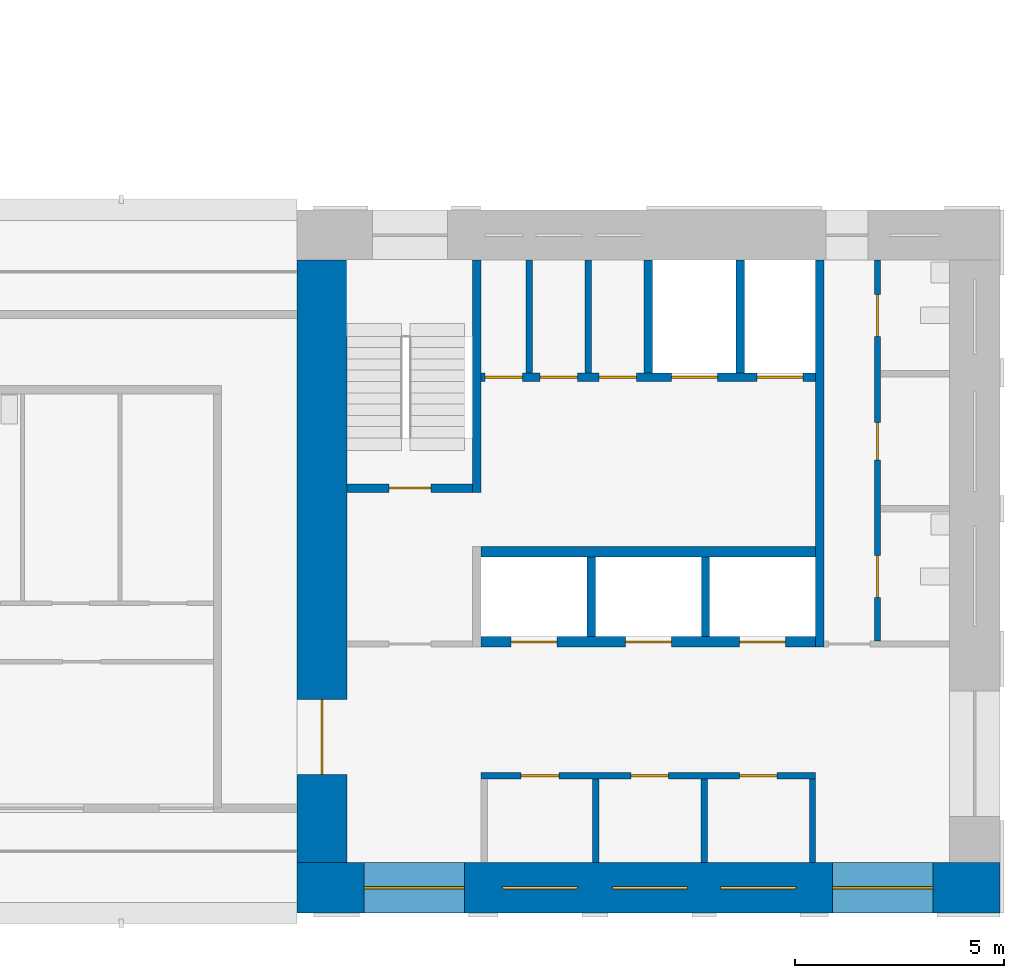
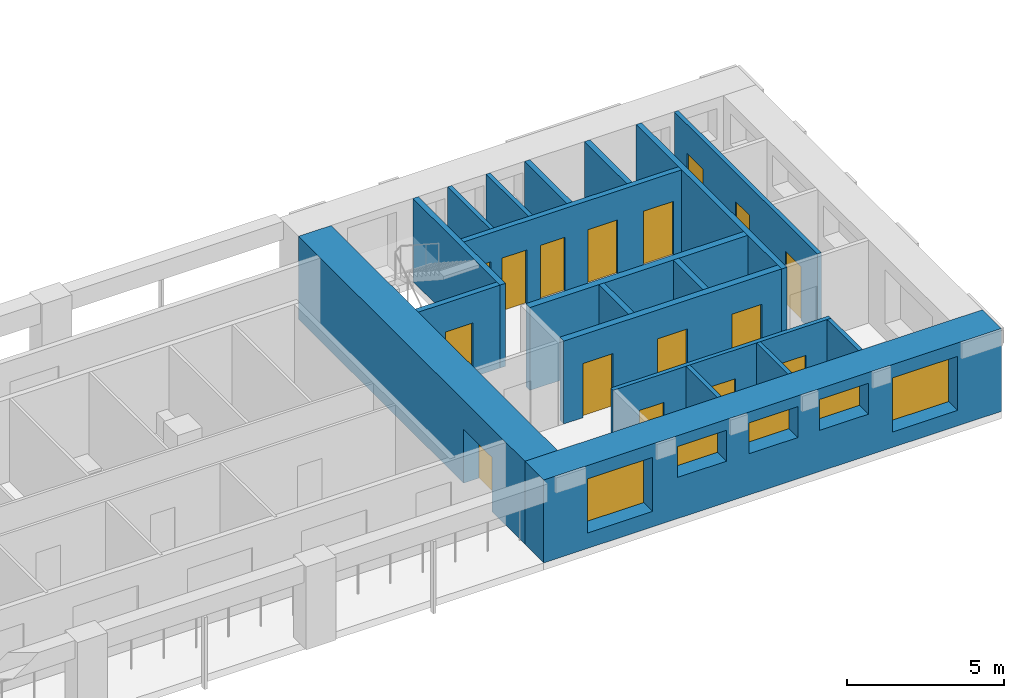
# One storey, part 4 of 10: 19 walls, 16 doors, 5 windows, 21 openings.
"""IFC4 building model written with IfcOpenShell, lengths in metres."""

import ifcopenshell
import ifcopenshell.guid

model = None  # the IFC model being written
_history = None  # IfcOwnerHistory: only IFC2X3 demands one
_inside = {}  # id of a spatial element -> (the spatial element, [elements in it])
_under = {}  # id of a project, library or spatial element -> (it, [spatial elements below it])
_declared = {}  # id of a project -> (the project, [libraries it declares])
_typed = {}  # id of a type object -> (the type object, [elements of that type])
_made_of = {}  # id of a material, layer set ... -> (it, [elements and type objects made of it])


def new_model(schema):
    """Start an empty IFC model of exactly this schema.

    Asked for "IFC4X3", IfcOpenShell would pick the latest addendum, in which some entities
    have other attributes; the version numbers below select the first issue.
    IFC2X3 requires an IfcOwnerHistory on every rooted entity: one is made here for all.
    """
    global model, _history
    if schema == "IFC4X3":
        model = ifcopenshell.file(schema_version=(4, 3, 0, 0))
    else:
        model = ifcopenshell.file(schema=schema)
    _inside.clear()
    _under.clear()
    _declared.clear()
    _typed.clear()
    _made_of.clear()
    _history = None
    if model.schema == "IFC2X3":
        org = make("IfcOrganization", Name="unknown")
        user = make(
            "IfcPersonAndOrganization",
            ThePerson=make("IfcPerson", FamilyName="unknown"),
            TheOrganization=org,
        )
        app = make(
            "IfcApplication",
            ApplicationDeveloper=org,
            Version="unknown",
            ApplicationFullName="unknown",
            ApplicationIdentifier="unknown",
        )
        _history = make(
            "IfcOwnerHistory",
            OwningUser=user,
            OwningApplication=app,
            ChangeAction="ADDED",
            CreationDate=0,
        )
    return model


def make(cls, **values):
    """One entity of the class cls with the attributes given. An attribute that is None is left unset."""
    return model.create_entity(
        cls, **{name: value for name, value in values.items() if value is not None}
    )


def rooted(cls, **values):
    """An entity with a GlobalId (a new one), such as an element, a storey or a relation."""
    return make(cls, GlobalId=ifcopenshell.guid.new(), OwnerHistory=_history, **values)


def si_unit(unit_type, name, prefix=None):
    """IfcSIUnit, for example si_unit("LENGTHUNIT", "METRE", prefix="MILLI")."""
    return make("IfcSIUnit", UnitType=unit_type, Prefix=prefix, Name=name)


def assignment(units):
    """IfcUnitAssignment: the units of a project."""
    return None if units is None else make("IfcUnitAssignment", Units=units)


def point(xyz):
    """IfcCartesianPoint."""
    return None if xyz is None else make("IfcCartesianPoint", Coordinates=xyz)


def direction(xyz):
    """IfcDirection."""
    return None if xyz is None else make("IfcDirection", DirectionRatios=xyz)


def frame(location, z_axis=None, x_axis=None):
    """IfcAxis2Placement3D, a coordinate frame: its origin and axes. An axis left out is left unset."""
    return make(
        "IfcAxis2Placement3D",
        Location=point(location),
        Axis=direction(z_axis),
        RefDirection=direction(x_axis),
    )


def frame_2d(location, x_axis=None):
    """IfcAxis2Placement2D, a coordinate frame in the plane: its origin and x axis."""
    return make(
        "IfcAxis2Placement2D", Location=point(location), RefDirection=direction(x_axis)
    )


def origin():
    """The frame at (0, 0, 0) with its axes left unset."""
    return frame((0.0, 0.0, 0.0))


def place(relative_to, where):
    """IfcLocalPlacement: puts the frame where relative to a parent placement (None: the world)."""
    return make(
        "IfcLocalPlacement", PlacementRelTo=relative_to, RelativePlacement=where
    )


def context(
    kind, dimensions, precision=None, world=None, true_north=None, identifier=None
):
    """IfcGeometricRepresentationContext, for example the 3D "Model" context."""
    return make(
        "IfcGeometricRepresentationContext",
        ContextIdentifier=identifier,
        ContextType=kind,
        CoordinateSpaceDimension=dimensions,
        Precision=precision,
        WorldCoordinateSystem=world,
        TrueNorth=true_north,
    )


def subcontext(parent, identifier, kind, view, scale=None):
    """IfcGeometricRepresentationSubContext, for example "Body" below "Model"."""
    return make(
        "IfcGeometricRepresentationSubContext",
        ContextIdentifier=identifier,
        ContextType=kind,
        ParentContext=parent,
        TargetScale=scale,
        TargetView=view,
    )


def project(units=None, contexts=None):
    """IfcProject with its units and contexts."""
    return rooted(
        "IfcProject",
        Name="project",
        RepresentationContexts=contexts,
        UnitsInContext=assignment(units),
    )


def spatial(cls, under=None, at=None, **own):
    """A site, building, storey or space (cls), placed at a placement, below another one or the project."""
    s = rooted(cls, ObjectPlacement=at, **own)
    if under is not None:
        _under.setdefault(under.id(), (under, []))[1].append(s)
    return s


def profile(cls, at=None, kind="AREA", **sizes):
    """A parametric profile (cls). Its sizes go by their IFC names, for example OverallWidth=200.0."""
    return make(cls, ProfileType=kind, Position=at, **sizes)


def rectangle(**sizes):
    """IfcRectangleProfileDef."""
    return profile("IfcRectangleProfileDef", **sizes)


def extrude(swept, where, along, depth):
    """IfcExtrudedAreaSolid: the profile swept, set in the frame where, extruded along a direction by depth."""
    return make(
        "IfcExtrudedAreaSolid",
        SweptArea=swept,
        Position=where,
        ExtrudedDirection=direction(along),
        Depth=depth,
    )


def shape(context_of_items, identifier, shape_type, items):
    """IfcShapeRepresentation: the items that make up one representation, for example the "Body"."""
    return make(
        "IfcShapeRepresentation",
        ContextOfItems=context_of_items,
        RepresentationIdentifier=identifier,
        RepresentationType=shape_type,
        Items=items,
    )


def material(Name=None, Category=None):
    """IfcMaterial."""
    return make("IfcMaterial", Name=Name, Category=Category)


def layer(
    of_material, thickness, ventilated=None, Name=None, Category=None, Priority=None
):
    """IfcMaterialLayer: one layer of a wall or slab, of a material (None: an air gap)."""
    return make(
        "IfcMaterialLayer",
        Material=of_material,
        LayerThickness=thickness,
        IsVentilated=ventilated,
        Name=Name,
        Category=Category,
        Priority=Priority,
    )


def layer_set(layers, Name=None):
    """IfcMaterialLayerSet."""
    return make("IfcMaterialLayerSet", MaterialLayers=layers, LayerSetName=Name)


def made_of(thing, what):
    """Note that an element or type object is made of a material, layer set ...; save() writes the relation."""
    if what is not None:
        _made_of.setdefault(what.id(), (what, []))[1].append(thing)
    return thing


def type_object(cls, material=None, **own):
    """A type object (cls), such as IfcWallType, which elements share."""
    return made_of(rooted(cls, **own), material)


def element(
    cls,
    number,
    at=None,
    inside=None,
    cuts=None,
    type_object=None,
    material=None,
    context=None,
    identifier="Body",
    shape_type=None,
    held_by="IfcProductDefinitionShape",
    body=None,
    shapes=None,
    **own,
):
    """One element of the class cls, such as IfcWall. Its Tag is "e" and its number.

    at: its placement. inside: the storey or other place that contains it. cuts: it is an
    opening in that element (IfcRelVoidsElement). A single representation is given by context,
    identifier, shape_type and body (its items); several are given by shapes. held_by: the class
    of the entity that holds the representations. save() writes the other relations.
    """
    e = rooted(cls, Tag="e%d" % number, ObjectPlacement=at, **own)
    if body is not None:
        shapes = [shape(context, identifier, shape_type, body)]
    if shapes is not None:
        e.Representation = make(held_by, Representations=shapes)
    if inside is not None:
        _inside.setdefault(inside.id(), (inside, []))[1].append(e)
    if cuts is not None:
        rooted(
            "IfcRelVoidsElement", RelatingBuildingElement=cuts, RelatedOpeningElement=e
        )
    if type_object is not None:
        _typed.setdefault(type_object.id(), (type_object, []))[1].append(e)
    return made_of(e, material)


def fill(opening, filler):
    """IfcRelFillsElement: the door or window that sits in an opening."""
    return rooted(
        "IfcRelFillsElement",
        RelatingOpeningElement=opening,
        RelatedBuildingElement=filler,
    )


def aggregate(whole, parts):
    """IfcRelAggregates: a whole, such as a stair, and the parts it consists of."""
    return rooted("IfcRelAggregates", RelatingObject=whole, RelatedObjects=parts)


def save(model, path):
    """Write the relations noted so far, then the file.

    IfcRelAggregates (storeys below a building ...), IfcRelContainedInSpatialStructure (elements
    in a storey), IfcRelDefinesByType, IfcRelAssociatesMaterial and IfcRelDeclares: one each for
    every whole, place, type object, material and project.
    """
    for whole, parts in _under.values():
        aggregate(whole, parts)
    for where, things in _inside.values():
        rooted(
            "IfcRelContainedInSpatialStructure",
            RelatedElements=things,
            RelatingStructure=where,
        )
    for kind, things in _typed.values():
        rooted("IfcRelDefinesByType", RelatedObjects=things, RelatingType=kind)
    for what, things in _made_of.values():
        rooted("IfcRelAssociatesMaterial", RelatedObjects=things, RelatingMaterial=what)
    for by, libraries in _declared.values():
        rooted("IfcRelDeclares", RelatingContext=by, RelatedDefinitions=libraries)
    model.write(path)


model = new_model("IFC4")

# Units and contexts
model_context = context("Model", 3, precision=1e-05, world=origin(), true_north=direction((0.0, 1.0)))
body_context = subcontext(model_context, "Body", "Model", "MODEL_VIEW")
ifc_project = project(units=[si_unit("LENGTHUNIT", "METRE"), si_unit("AREAUNIT", "SQUARE_METRE"), si_unit("VOLUMEUNIT", "CUBIC_METRE"), si_unit("PLANEANGLEUNIT", "RADIAN"), si_unit("MASSUNIT", "GRAM", prefix="KILO")], contexts=[model_context])

# Site, building, storey
site_placement = place(None, origin())
site = spatial("IfcSite", under=ifc_project, at=site_placement, CompositionType="ELEMENT")
building_placement = place(site_placement, origin())
building = spatial("IfcBuilding", under=site, at=building_placement, Name="Vermilion Gate Residences", CompositionType="ELEMENT")
storey_placement = place(building_placement, frame((0.0, 0.0, 266.699951171875)))
storey = spatial("IfcBuildingStorey", under=building, at=storey_placement, Name="L70", CompositionType="ELEMENT", Elevation=266.699951171875)

# Walls
ifc_material_1 = material(Name="Masonry blockwork", Category="masonry")
ifc_layer_1 = layer(ifc_material_1, 0.14990234375)
ifc_layer_set_1 = layer_set([ifc_layer_1], Name="BLOCKWORK PARTITION 150 EI 120")
wall_type_1 = type_object("IfcWallType", Name="BLOCKWORK PARTITION 150 EI 120", PredefinedType="PARTITIONING", material=ifc_layer_set_1)
for number, where, z_axis, x_axis, name in (
    (1, (54.324951171875, 9.60009765625, 0.0), (0.0, 0.0, 1.0), (0.0, 1.0, 0.0), "Core room partition A70-RW-E"),
    (2, (49.14111328125, 9.60009765625, 0.0), (0.0, 0.0, 1.0), (0.0, 1.0, 0.0), "Core room partition A70-SR-P0"),
    (3, (51.73291015625, 9.60009765625, 0.0), (0.0, 0.0, 1.0), (0.0, 1.0, 0.0), "Core room partition A70-SR-P1"),
):
    element("IfcWall", number, at=place(storey_placement, frame(where, z_axis=z_axis, x_axis=x_axis)), inside=storey, type_object=wall_type_1, Name=name, PredefinedType="PARTITIONING", context=body_context, shape_type="SweptSolid", body=[
        extrude(rectangle(XDim=2.0, YDim=0.14990234375, at=frame_2d((1.0, 0.0))), origin(), (0.0, 0.0, 1.0), 3.219970703125),
    ])

# Wall, openings, doors
wall_1_placement = place(storey_placement, frame((46.39990234375, 11.675048828125, 0.0), z_axis=(0.0, 0.0, 1.0), x_axis=(1.0, 0.0, 0.0)))
wall_1 = element("IfcWall", 4, at=wall_1_placement, inside=storey, type_object=wall_type_1, Name="Core room partition A70-LR-F", PredefinedType="PARTITIONING", context=body_context, shape_type="SweptSolid", body=[
    extrude(rectangle(XDim=8.0, YDim=0.14990234375, at=frame_2d((4.0, 0.0))), origin(), (0.0, 0.0, 1.0), 3.219970703125),
])
opening_1_placement = place(wall_1_placement, frame((0.9580078125, 0.0, 0.0)))
opening_1 = element("IfcOpeningElement", 5, at=opening_1_placement, cuts=wall_1, Name="Opening DK70002", PredefinedType="OPENING", context=body_context, shape_type="SweptSolid", body=[
    extrude(rectangle(XDim=0.89990234375, YDim=2.10009765625, at=frame_2d((0.449951171875, 1.050048828125))), frame((0.0, 0.0849609375, 0.0), z_axis=(0.0, -1.0, 0.0), x_axis=(1.0, 0.0, 0.0)), (0.0, 0.0, 1.0), 0.169921875),
])
opening_2_placement = place(wall_1_placement, frame((3.5869140625, 0.0, 0.0)))
opening_2 = element("IfcOpeningElement", 6, at=opening_2_placement, cuts=wall_1, Name="Opening DK70003", PredefinedType="OPENING", context=body_context, shape_type="SweptSolid", body=[
    extrude(rectangle(XDim=0.89990234375, YDim=2.10009765625, at=frame_2d((0.449951171875, 1.050048828125))), frame((0.0, 0.0849609375, 0.0), z_axis=(0.0, -1.0, 0.0), x_axis=(1.0, 0.0, 0.0)), (0.0, 0.0, 1.0), 0.169921875),
])
opening_3_placement = place(wall_1_placement, frame((6.178955078125, 0.0, 0.0)))
opening_3 = element("IfcOpeningElement", 7, at=opening_3_placement, cuts=wall_1, Name="Opening DK70004", PredefinedType="OPENING", context=body_context, shape_type="SweptSolid", body=[
    extrude(rectangle(XDim=0.89990234375, YDim=2.10009765625, at=frame_2d((0.449951171875, 1.050048828125))), frame((0.0, 0.0849609375, 0.0), z_axis=(0.0, -1.0, 0.0), x_axis=(1.0, 0.0, 0.0)), (0.0, 0.0, 1.0), 0.169921875),
])
ifc_material_2 = material(Name="Steel", Category="steel")
door_type_1 = type_object("IfcDoorType", Name="SERVICE ROOM DOOR FD60 900 X 2100", OperationType="SINGLE_SWING_LEFT", PredefinedType="DOOR", material=ifc_material_2)
door_1_placement = place(opening_1_placement, frame((0.89990234375, 0.0, 0.0), z_axis=(0.0, 0.0, 1.0), x_axis=(-1.0, 0.0, 0.0)))
door_1 = element("IfcDoor", 8, at=door_1_placement, inside=storey, type_object=door_type_1, Name="Mail room A70", OperationType="SINGLE_SWING_RIGHT", OverallHeight=2.10009765625, OverallWidth=0.89990234375, PredefinedType="DOOR", context=body_context, shape_type="SweptSolid", body=[
    extrude(rectangle(XDim=0.89990234375, YDim=2.10009765625, at=frame_2d((0.449951171875, 1.050048828125))), frame((0.0, 0.02490234375, 0.0), z_axis=(0.0, -1.0, 0.0), x_axis=(1.0, 0.0, 0.0)), (0.0, 0.0, 1.0), 0.050048828125),
])
fill(opening_1, door_1)
door_2_placement = place(opening_2_placement, frame((0.89990234375, 0.0, 0.0), z_axis=(0.0, 0.0, 1.0), x_axis=(-1.0, 0.0, 0.0)))
door_2 = element("IfcDoor", 9, at=door_2_placement, inside=storey, type_object=door_type_1, Name="Cleaner's store A70", OperationType="SINGLE_SWING_LEFT", OverallHeight=2.10009765625, OverallWidth=0.89990234375, PredefinedType="DOOR", context=body_context, shape_type="SweptSolid", body=[
    extrude(rectangle(XDim=0.89990234375, YDim=2.10009765625, at=frame_2d((0.449951171875, 1.050048828125))), frame((0.0, 0.02490234375, 0.0), z_axis=(0.0, -1.0, 0.0), x_axis=(1.0, 0.0, 0.0)), (0.0, 0.0, 1.0), 0.050048828125),
])
fill(opening_2, door_2)
door_3_placement = place(opening_3_placement, origin())
door_3 = element("IfcDoor", 10, at=door_3_placement, inside=storey, type_object=door_type_1, Name="Electrical room A70", OperationType="SINGLE_SWING_LEFT", OverallHeight=2.10009765625, OverallWidth=0.89990234375, PredefinedType="DOOR", context=body_context, shape_type="SweptSolid", body=[
    extrude(rectangle(XDim=0.89990234375, YDim=2.10009765625, at=frame_2d((0.449951171875, 1.050048828125))), frame((0.0, 0.02490234375, 0.0), z_axis=(0.0, -1.0, 0.0), x_axis=(1.0, 0.0, 0.0)), (0.0, 0.0, 1.0), 0.050048828125),
])
fill(opening_3, door_3)

# Walls
for number, where, z_axis, x_axis, name in (
    (11, (47.554931640625, 21.300048828125, 0.0), (0.0, 0.0, 1.0), (0.0, 1.0, 0.0), "Core room partition A70-NR-P0"),
    (12, (48.965087890625, 21.300048828125, 0.0), (0.0, 0.0, 1.0), (0.0, 1.0, 0.0), "Core room partition A70-NR-P1"),
):
    element("IfcWall", number, at=place(storey_placement, frame(where, z_axis=z_axis, x_axis=x_axis)), inside=storey, type_object=wall_type_1, Name=name, PredefinedType="PARTITIONING", context=body_context, shape_type="SweptSolid", body=[
        extrude(rectangle(XDim=2.699951171875, YDim=0.14990234375, at=frame_2d((1.35009765625, 0.0))), origin(), (0.0, 0.0, 1.0), 3.219970703125),
    ])

# Wall, openings, doors
wall_2_placement = place(storey_placement, frame((55.875, 14.89990234375, 0.0), z_axis=(0.0, 0.0, 1.0), x_axis=(0.0, 1.0, 0.0)))
wall_2 = element("IfcWall", 13, at=wall_2_placement, inside=storey, type_object=wall_type_1, Name="Core room partition A70-ES-W", PredefinedType="PARTITIONING", context=body_context, shape_type="SweptSolid", body=[
    extrude(rectangle(XDim=9.10009765625, YDim=0.14990234375, at=frame_2d((4.550048828125, 0.0))), origin(), (0.0, 0.0, 1.0), 3.219970703125),
])
opening_4_placement = place(wall_2_placement, frame((1.0400390625, 0.0, 0.0)))
opening_4 = element("IfcOpeningElement", 14, at=opening_4_placement, cuts=wall_2, Name="Opening DK70016", PredefinedType="OPENING", context=body_context, shape_type="SweptSolid", body=[
    extrude(rectangle(XDim=1.0, YDim=2.10009765625, at=frame_2d((0.5, 1.050048828125))), frame((0.0, 0.0849609375, 0.0), z_axis=(0.0, -1.0, 0.0), x_axis=(1.0, 0.0, 0.0)), (0.0, 0.0, 1.0), 0.169921875),
])
opening_5_placement = place(wall_2_placement, frame((4.320068359375, 0.0, 0.0)))
opening_5 = element("IfcOpeningElement", 15, at=opening_5_placement, cuts=wall_2, Name="Opening DK70017", PredefinedType="OPENING", context=body_context, shape_type="SweptSolid", body=[
    extrude(rectangle(XDim=0.89990234375, YDim=2.10009765625, at=frame_2d((0.449951171875, 1.050048828125))), frame((0.0, 0.0849609375, 0.0), z_axis=(0.0, -1.0, 0.0), x_axis=(1.0, 0.0, 0.0)), (0.0, 0.0, 1.0), 0.169921875),
])
opening_6_placement = place(wall_2_placement, frame((7.280029296875, 0.0, 0.0)))
opening_6 = element("IfcOpeningElement", 16, at=opening_6_placement, cuts=wall_2, Name="Opening DK70018", PredefinedType="OPENING", context=body_context, shape_type="SweptSolid", body=[
    extrude(rectangle(XDim=1.0, YDim=2.10009765625, at=frame_2d((0.5, 1.050048828125))), frame((0.0, 0.0849609375, 0.0), z_axis=(0.0, -1.0, 0.0), x_axis=(1.0, 0.0, 0.0)), (0.0, 0.0, 1.0), 0.169921875),
])
ifc_material_3 = material(Name="Steel", Category="steel")
door_type_2 = type_object("IfcDoorType", Name="FIRE DOOR FD60 1000 X 2100", OperationType="SINGLE_SWING_LEFT", PredefinedType="DOOR", material=ifc_material_3)
door_4_placement = place(opening_4_placement, frame((1.0, 0.0, 0.0), z_axis=(0.0, 0.0, 1.0), x_axis=(-1.0, 0.0, 0.0)))
door_4 = element("IfcDoor", 17, at=door_4_placement, inside=storey, type_object=door_type_2, Name="Accessible WC A70", OperationType="SINGLE_SWING_LEFT", OverallHeight=2.10009765625, OverallWidth=1.0, PredefinedType="DOOR", context=body_context, shape_type="SweptSolid", body=[
    extrude(rectangle(XDim=1.0, YDim=2.10009765625, at=frame_2d((0.5, 1.050048828125))), frame((0.0, 0.02490234375, 0.0), z_axis=(0.0, -1.0, 0.0), x_axis=(1.0, 0.0, 0.0)), (0.0, 0.0, 1.0), 0.050048828125),
])
fill(opening_4, door_4)
door_5_placement = place(opening_6_placement, frame((1.0, 0.0, 0.0), z_axis=(0.0, 0.0, 1.0), x_axis=(-1.0, 0.0, 0.0)))
door_5 = element("IfcDoor", 18, at=door_5_placement, inside=storey, type_object=door_type_2, Name="Accessible WC A70", OperationType="SINGLE_SWING_RIGHT", OverallHeight=2.10009765625, OverallWidth=1.0, PredefinedType="DOOR", context=body_context, shape_type="SweptSolid", body=[
    extrude(rectangle(XDim=1.0, YDim=2.10009765625, at=frame_2d((0.5, 1.050048828125))), frame((0.0, 0.02490234375, 0.0), z_axis=(0.0, -1.0, 0.0), x_axis=(1.0, 0.0, 0.0)), (0.0, 0.0, 1.0), 0.050048828125),
])
fill(opening_6, door_5)
door_6_placement = place(opening_5_placement, frame((0.89990234375, 0.0, 0.0), z_axis=(0.0, 0.0, 1.0), x_axis=(-1.0, 0.0, 0.0)))
door_6 = element("IfcDoor", 19, at=door_6_placement, inside=storey, type_object=door_type_1, Name="Communications room A70", OperationType="SINGLE_SWING_RIGHT", OverallHeight=2.10009765625, OverallWidth=0.89990234375, PredefinedType="DOOR", context=body_context, shape_type="SweptSolid", body=[
    extrude(rectangle(XDim=0.89990234375, YDim=2.10009765625, at=frame_2d((0.449951171875, 1.050048828125))), frame((0.0, 0.02490234375, 0.0), z_axis=(0.0, -1.0, 0.0), x_axis=(1.0, 0.0, 0.0)), (0.0, 0.0, 1.0), 0.050048828125),
])
fill(opening_5, door_6)

# Walls
ifc_material_4 = material(Name="Concrete C60", Category="concrete")
ifc_layer_2 = layer(ifc_material_4, 0.199951171875)
ifc_layer_set_2 = layer_set([ifc_layer_2], Name="RC CORE INTERNAL WALL 200 C60")
wall_type_2 = type_object("IfcWallType", Name="RC CORE INTERNAL WALL 200 C60", PredefinedType="SHEAR", material=ifc_layer_set_2)
for number, where, z_axis, x_axis, name in (
    (20, (49.033447265625, 15.0, 0.0), (0.0, 0.0, 1.0), (0.0, 1.0, 0.0), "Core internal wall A70-HR-D1"),
    (21, (51.7666015625, 15.0, 0.0), (0.0, 0.0, 1.0), (0.0, 1.0, 0.0), "Core internal wall A70-HR-D2"),
):
    element("IfcWall", number, at=place(storey_placement, frame(where, z_axis=z_axis, x_axis=x_axis)), inside=storey, type_object=wall_type_2, Name=name, PredefinedType="SHEAR", context=body_context, shape_type="SweptSolid", body=[
        extrude(rectangle(XDim=1.89990234375, YDim=0.199951171875, at=frame_2d((0.949951171875, 0.0))), origin(), (0.0, 0.0, 1.0), 3.219970703125),
    ])
for number, where, z_axis, x_axis, name in (
    (22, (50.39990234375, 21.300048828125, 0.0), (0.0, 0.0, 1.0), (0.0, 1.0, 0.0), "Core internal wall A70-FF-D0"),
    (23, (52.60009765625, 21.300048828125, 0.0), (0.0, 0.0, 1.0), (0.0, 1.0, 0.0), "Core internal wall A70-FF-D1"),
):
    element("IfcWall", number, at=place(storey_placement, frame(where, z_axis=z_axis, x_axis=x_axis)), inside=storey, type_object=wall_type_2, Name=name, PredefinedType="SHEAR", context=body_context, shape_type="SweptSolid", body=[
        extrude(rectangle(XDim=2.699951171875, YDim=0.199951171875, at=frame_2d((1.35009765625, 0.0))), origin(), (0.0, 0.0, 1.0), 3.219970703125),
    ])

# Wall, openings, doors
wall_3_placement = place(storey_placement, frame((46.39990234375, 21.199951171875, 0.0), z_axis=(0.0, 0.0, 1.0), x_axis=(1.0, 0.0, 0.0)))
wall_3 = element("IfcWall", 24, at=wall_3_placement, inside=storey, type_object=wall_type_2, Name="Core internal wall A70-FF-F", PredefinedType="SHEAR", context=body_context, shape_type="SweptSolid", body=[
    extrude(rectangle(XDim=8.0, YDim=0.199951171875, at=frame_2d((4.0, 0.0))), origin(), (0.0, 0.0, 1.0), 3.219970703125),
])
opening_7_placement = place(wall_3_placement, frame((0.090087890625, 0.0, 0.0)))
opening_7 = element("IfcOpeningElement", 25, at=opening_7_placement, cuts=wall_3, Name="Opening DK70008", PredefinedType="OPENING", context=body_context, shape_type="SweptSolid", body=[
    extrude(rectangle(XDim=0.89990234375, YDim=2.10009765625, at=frame_2d((0.449951171875, 1.050048828125))), frame((0.0, 0.10986328125, 0.0), z_axis=(0.0, -1.0, 0.0), x_axis=(1.0, 0.0, 0.0)), (0.0, 0.0, 1.0), 0.219970703125),
])
opening_8_placement = place(wall_3_placement, frame((1.409912109375, 0.0, 0.0)))
opening_8 = element("IfcOpeningElement", 26, at=opening_8_placement, cuts=wall_3, Name="Opening DK70009", PredefinedType="OPENING", context=body_context, shape_type="SweptSolid", body=[
    extrude(rectangle(XDim=0.89990234375, YDim=2.10009765625, at=frame_2d((0.449951171875, 1.050048828125))), frame((0.0, 0.10986328125, 0.0), z_axis=(0.0, -1.0, 0.0), x_axis=(1.0, 0.0, 0.0)), (0.0, 0.0, 1.0), 0.219970703125),
])
opening_9_placement = place(wall_3_placement, frame((2.820068359375, 0.0, 0.0)))
opening_9 = element("IfcOpeningElement", 27, at=opening_9_placement, cuts=wall_3, Name="Opening DK70010", PredefinedType="OPENING", context=body_context, shape_type="SweptSolid", body=[
    extrude(rectangle(XDim=0.89990234375, YDim=2.10009765625, at=frame_2d((0.449951171875, 1.050048828125))), frame((0.0, 0.10986328125, 0.0), z_axis=(0.0, -1.0, 0.0), x_axis=(1.0, 0.0, 0.0)), (0.0, 0.0, 1.0), 0.219970703125),
])
opening_10_placement = place(wall_3_placement, frame((4.550048828125, 0.0, 0.0)))
opening_10 = element("IfcOpeningElement", 28, at=opening_10_placement, cuts=wall_3, Name="Opening LD", PredefinedType="OPENING", context=body_context, shape_type="SweptSolid", body=[
    extrude(rectangle(XDim=1.10009765625, YDim=2.10009765625, at=frame_2d((0.550048828125, 1.050048828125))), frame((0.0, 0.10986328125, 0.0), z_axis=(0.0, -1.0, 0.0), x_axis=(1.0, 0.0, 0.0)), (0.0, 0.0, 1.0), 0.219970703125),
])
opening_11_placement = place(wall_3_placement, frame((6.60009765625, 0.0, 0.0)))
opening_11 = element("IfcOpeningElement", 29, at=opening_11_placement, cuts=wall_3, Name="Opening LD", PredefinedType="OPENING", context=body_context, shape_type="SweptSolid", body=[
    extrude(rectangle(XDim=1.10009765625, YDim=2.10009765625, at=frame_2d((0.550048828125, 1.050048828125))), frame((0.0, 0.10986328125, 0.0), z_axis=(0.0, -1.0, 0.0), x_axis=(1.0, 0.0, 0.0)), (0.0, 0.0, 1.0), 0.219970703125),
])
ifc_material_5 = material(Name="Stainless steel", Category="steel")
door_type_3 = type_object("IfcDoorType", Name="LIFT LANDING DOOR E60 1100 X 2100", OperationType="DOUBLE_DOOR_SLIDING", PredefinedType="DOOR", material=ifc_material_5)
door_7_placement = place(opening_10_placement, origin())
door_7 = element("IfcDoor", 30, at=door_7_placement, inside=storey, type_object=door_type_3, Name="Lift landing door LFA1", OperationType="DOUBLE_DOOR_SLIDING", OverallHeight=2.10009765625, OverallWidth=1.10009765625, PredefinedType="DOOR", context=body_context, shape_type="SweptSolid", body=[
    extrude(rectangle(XDim=1.10009765625, YDim=2.10009765625, at=frame_2d((0.550048828125, 1.050048828125))), frame((0.0, 0.02490234375, 0.0), z_axis=(0.0, -1.0, 0.0), x_axis=(1.0, 0.0, 0.0)), (0.0, 0.0, 1.0), 0.050048828125),
])
fill(opening_10, door_7)
door_8_placement = place(opening_11_placement, origin())
door_8 = element("IfcDoor", 31, at=door_8_placement, inside=storey, type_object=door_type_3, Name="Lift landing door LCA1", OperationType="DOUBLE_DOOR_SLIDING", OverallHeight=2.10009765625, OverallWidth=1.10009765625, PredefinedType="DOOR", context=body_context, shape_type="SweptSolid", body=[
    extrude(rectangle(XDim=1.10009765625, YDim=2.10009765625, at=frame_2d((0.550048828125, 1.050048828125))), frame((0.0, 0.02490234375, 0.0), z_axis=(0.0, -1.0, 0.0), x_axis=(1.0, 0.0, 0.0)), (0.0, 0.0, 1.0), 0.050048828125),
])
fill(opening_11, door_8)
door_9_placement = place(opening_7_placement, origin())
door_9 = element("IfcDoor", 32, at=door_9_placement, inside=storey, type_object=door_type_1, Name="Housekeeping store A70", OperationType="SINGLE_SWING_RIGHT", OverallHeight=2.10009765625, OverallWidth=0.89990234375, PredefinedType="DOOR", context=body_context, shape_type="SweptSolid", body=[
    extrude(rectangle(XDim=0.89990234375, YDim=2.10009765625, at=frame_2d((0.449951171875, 1.050048828125))), frame((0.0, 0.02490234375, 0.0), z_axis=(0.0, -1.0, 0.0), x_axis=(1.0, 0.0, 0.0)), (0.0, 0.0, 1.0), 0.050048828125),
])
fill(opening_7, door_9)
door_10_placement = place(opening_8_placement, origin())
door_10 = element("IfcDoor", 33, at=door_10_placement, inside=storey, type_object=door_type_1, Name="Mail room A70", OperationType="SINGLE_SWING_LEFT", OverallHeight=2.10009765625, OverallWidth=0.89990234375, PredefinedType="DOOR", context=body_context, shape_type="SweptSolid", body=[
    extrude(rectangle(XDim=0.89990234375, YDim=2.10009765625, at=frame_2d((0.449951171875, 1.050048828125))), frame((0.0, 0.02490234375, 0.0), z_axis=(0.0, -1.0, 0.0), x_axis=(1.0, 0.0, 0.0)), (0.0, 0.0, 1.0), 0.050048828125),
])
fill(opening_8, door_10)
door_11_placement = place(opening_9_placement, origin())
door_11 = element("IfcDoor", 34, at=door_11_placement, inside=storey, type_object=door_type_1, Name="Electrical riser A70", OperationType="SINGLE_SWING_LEFT", OverallHeight=2.10009765625, OverallWidth=0.89990234375, PredefinedType="DOOR", context=body_context, shape_type="SweptSolid", body=[
    extrude(rectangle(XDim=0.89990234375, YDim=2.10009765625, at=frame_2d((0.449951171875, 1.050048828125))), frame((0.0, 0.02490234375, 0.0), z_axis=(0.0, -1.0, 0.0), x_axis=(1.0, 0.0, 0.0)), (0.0, 0.0, 1.0), 0.050048828125),
])
fill(opening_9, door_11)

# Wall
wall_4_placement = place(storey_placement, frame((46.300048828125, 18.449951171875, 0.0), z_axis=(0.0, 0.0, 1.0), x_axis=(0.0, 1.0, 0.0)))
element("IfcWall", 35, at=wall_4_placement, inside=storey, type_object=wall_type_2, Name="Core internal wall A70-WDIV2", PredefinedType="SHEAR", context=body_context, shape_type="SweptSolid", body=[
    extrude(rectangle(XDim=5.550048828125, YDim=0.199951171875, at=frame_2d((2.77490234375, 0.0))), origin(), (0.0, 0.0, 1.0), 3.219970703125),
])

# Wall, opening, door
wall_5_placement = place(storey_placement, frame((43.199951171875, 18.550048828125, 0.0), z_axis=(0.0, 0.0, 1.0), x_axis=(1.0, 0.0, 0.0)))
wall_5 = element("IfcWall", 36, at=wall_5_placement, inside=storey, type_object=wall_type_2, Name="Core internal wall A70-STW-S", PredefinedType="SHEAR", context=body_context, shape_type="SweptSolid", body=[
    extrude(rectangle(XDim=3.0, YDim=0.199951171875, at=frame_2d((1.5, 0.0))), origin(), (0.0, 0.0, 1.0), 3.219970703125),
])
opening_12_placement = place(wall_5_placement, frame((1.0, 0.0, 0.0)))
opening_12 = element("IfcOpeningElement", 37, at=opening_12_placement, cuts=wall_5, Name="Opening DK70014", PredefinedType="OPENING", context=body_context, shape_type="SweptSolid", body=[
    extrude(rectangle(XDim=1.0, YDim=2.10009765625, at=frame_2d((0.5, 1.050048828125))), frame((0.0, 0.10986328125, 0.0), z_axis=(0.0, -1.0, 0.0), x_axis=(1.0, 0.0, 0.0)), (0.0, 0.0, 1.0), 0.219970703125),
])
door_12_placement = place(opening_12_placement, origin())
door_12 = element("IfcDoor", 38, at=door_12_placement, inside=storey, type_object=door_type_2, Name="Stair door A70", OperationType="SINGLE_SWING_LEFT", OverallHeight=2.10009765625, OverallWidth=1.0, PredefinedType="DOOR", context=body_context, shape_type="SweptSolid", body=[
    extrude(rectangle(XDim=1.0, YDim=2.10009765625, at=frame_2d((0.5, 1.050048828125))), frame((0.0, 0.02490234375, 0.0), z_axis=(0.0, -1.0, 0.0), x_axis=(1.0, 0.0, 0.0)), (0.0, 0.0, 1.0), 0.050048828125),
])
fill(opening_12, door_12)

# Wall
wall_6_placement = place(storey_placement, frame((54.5, 14.75, 0.0), z_axis=(0.0, 0.0, 1.0), x_axis=(0.0, 1.0, 0.0)))
element("IfcWall", 39, at=wall_6_placement, inside=storey, type_object=wall_type_2, Name="Core internal wall A70-EDIV", PredefinedType="SHEAR", context=body_context, shape_type="SweptSolid", body=[
    extrude(rectangle(XDim=9.25, YDim=0.199951171875, at=frame_2d((4.625, 0.0))), origin(), (0.0, 0.0, 1.0), 3.219970703125),
])

# Wall, opening, door
ifc_material_6 = material(Name="Concrete C50", Category="concrete")
ifc_layer_3 = layer(ifc_material_6, 1.199951171875)
ifc_layer_set_3 = layer_set([ifc_layer_3], Name="RC CORE WALL 1200 C50")
wall_type_3 = type_object("IfcWallType", Name="RC CORE WALL 1200 C50", PredefinedType="SHEAR", material=ifc_layer_set_3)
wall_7_placement = place(storey_placement, frame((42.60009765625, 9.60009765625, 0.0), z_axis=(0.0, 0.0, 1.0), x_axis=(0.0, 1.0, 0.0)))
wall_7 = element("IfcWall", 40, at=wall_7_placement, inside=storey, type_object=wall_type_3, Name="Core wall A70-OUT-FR", PredefinedType="SHEAR", context=body_context, shape_type="SweptSolid", body=[
    extrude(rectangle(XDim=14.39990234375, YDim=1.199951171875, at=frame_2d((7.199951171875, 0.0))), origin(), (0.0, 0.0, 1.0), 3.219970703125),
])
opening_13_placement = place(wall_7_placement, frame((2.10009765625, 0.0, 0.0)))
opening_13 = element("IfcOpeningElement", 41, at=opening_13_placement, cuts=wall_7, Name="Opening DK70001", PredefinedType="OPENING", context=body_context, shape_type="SweptSolid", body=[
    extrude(rectangle(XDim=1.800048828125, YDim=2.10009765625, at=frame_2d((0.89990234375, 1.050048828125))), frame((0.0, 0.60986328125, 0.0), z_axis=(0.0, -1.0, 0.0), x_axis=(1.0, 0.0, 0.0)), (0.0, 0.0, 1.0), 1.219970703125),
])
ifc_material_7 = material(Name="Steel", Category="steel")
door_type_4 = type_object("IfcDoorType", Name="CORE LOBBY DOOR FD60 1800 X 2100", OperationType="DOUBLE_DOOR_SINGLE_SWING", PredefinedType="DOOR", material=ifc_material_7)
door_13_placement = place(opening_13_placement, frame((1.800048828125, 0.0, 0.0), z_axis=(0.0, 0.0, 1.0), x_axis=(-1.0, 0.0, 0.0)))
door_13 = element("IfcDoor", 42, at=door_13_placement, inside=storey, type_object=door_type_4, Name="Core lobby door A70", OperationType="DOUBLE_DOOR_SINGLE_SWING", OverallHeight=2.10009765625, OverallWidth=1.800048828125, PredefinedType="DOOR", context=body_context, shape_type="SweptSolid", body=[
    extrude(rectangle(XDim=1.800048828125, YDim=2.10009765625, at=frame_2d((0.89990234375, 1.050048828125))), frame((0.0, 0.02490234375, 0.0), z_axis=(0.0, -1.0, 0.0), x_axis=(1.0, 0.0, 0.0)), (0.0, 0.0, 1.0), 0.050048828125),
])
fill(opening_13, door_13)

# Wall, openings, windows
ifc_material_8 = material(Name="Concrete C50 red-oxide pigmented", Category="concrete")
ifc_layer_4 = layer(ifc_material_8, 1.199951171875)
ifc_layer_set_4 = layer_set([ifc_layer_4], Name="RC CORE WALL 1200 C50 RED OXIDE")
wall_type_4 = type_object("IfcWallType", Name="RC CORE WALL 1200 C50 RED OXIDE", PredefinedType="SHEAR", material=ifc_layer_set_4)
wall_8_placement = place(storey_placement, frame((42.0, 9.0, 0.0), z_axis=(0.0, 0.0, 1.0), x_axis=(1.0, 0.0, 0.0)))
wall_8 = element("IfcWall", 43, at=wall_8_placement, inside=storey, type_object=wall_type_4, Name="Core wall A70-OUT-B0", PredefinedType="SHEAR", context=body_context, shape_type="SweptSolid", body=[
    extrude(rectangle(XDim=16.800048828125, YDim=1.199951171875, at=frame_2d((8.39990234375, 0.0))), origin(), (0.0, 0.0, 1.0), 3.219970703125),
])
opening_14_placement = place(wall_8_placement, frame((1.60009765625, 0.0, 0.60009765625)))
opening_14 = element("IfcOpeningElement", 44, at=opening_14_placement, cuts=wall_8, Name="Opening WKA7001", PredefinedType="OPENING", context=body_context, shape_type="SweptSolid", body=[
    extrude(rectangle(XDim=2.39990234375, YDim=2.10009765625, at=frame_2d((1.199951171875, 1.050048828125))), frame((0.0, 0.60986328125, 0.0), z_axis=(0.0, -1.0, 0.0), x_axis=(1.0, 0.0, 0.0)), (0.0, 0.0, 1.0), 1.219970703125),
])
opening_15_placement = place(wall_8_placement, frame((4.907958984375, 0.0, 1.60009765625)))
opening_15 = element("IfcOpeningElement", 45, at=opening_15_placement, cuts=wall_8, Name="Opening WKA7002", PredefinedType="OPENING", context=body_context, shape_type="SweptSolid", body=[
    extrude(rectangle(XDim=1.800048828125, YDim=1.199951171875, at=frame_2d((0.89990234375, 0.60009765625))), frame((0.0, 0.60986328125, 0.0), z_axis=(0.0, -1.0, 0.0), x_axis=(1.0, 0.0, 0.0)), (0.0, 0.0, 1.0), 1.219970703125),
])
opening_16_placement = place(wall_8_placement, frame((7.537109375, 0.0, 1.60009765625)))
opening_16 = element("IfcOpeningElement", 46, at=opening_16_placement, cuts=wall_8, Name="Opening WKA7003", PredefinedType="OPENING", context=body_context, shape_type="SweptSolid", body=[
    extrude(rectangle(XDim=1.800048828125, YDim=1.199951171875, at=frame_2d((0.89990234375, 0.60009765625))), frame((0.0, 0.60986328125, 0.0), z_axis=(0.0, -1.0, 0.0), x_axis=(1.0, 0.0, 0.0)), (0.0, 0.0, 1.0), 1.219970703125),
])
opening_17_placement = place(wall_8_placement, frame((10.12890625, 0.0, 1.60009765625)))
opening_17 = element("IfcOpeningElement", 47, at=opening_17_placement, cuts=wall_8, Name="Opening WKA7004", PredefinedType="OPENING", context=body_context, shape_type="SweptSolid", body=[
    extrude(rectangle(XDim=1.800048828125, YDim=1.199951171875, at=frame_2d((0.89990234375, 0.60009765625))), frame((0.0, 0.60986328125, 0.0), z_axis=(0.0, -1.0, 0.0), x_axis=(1.0, 0.0, 0.0)), (0.0, 0.0, 1.0), 1.219970703125),
])
opening_18_placement = place(wall_8_placement, frame((12.800048828125, 0.0, 0.60009765625)))
opening_18 = element("IfcOpeningElement", 48, at=opening_18_placement, cuts=wall_8, Name="Opening WKA7005", PredefinedType="OPENING", context=body_context, shape_type="SweptSolid", body=[
    extrude(rectangle(XDim=2.39990234375, YDim=2.10009765625, at=frame_2d((1.199951171875, 1.050048828125))), frame((0.0, 0.60986328125, 0.0), z_axis=(0.0, -1.0, 0.0), x_axis=(1.0, 0.0, 0.0)), (0.0, 0.0, 1.0), 1.219970703125),
])
ifc_material_9 = material(Name="Aluminium and clear glass", Category="aluminium")
window_type_1 = type_object("IfcWindowType", Name="CORE LOBBY WINDOW 2400 X 2100", PartitioningType="SINGLE_PANEL", PredefinedType="WINDOW", material=ifc_material_9)
window_1_placement = place(opening_14_placement, origin())
window_1 = element("IfcWindow", 49, at=window_1_placement, inside=storey, type_object=window_type_1, Name="Core lobby window", OverallHeight=2.10009765625, OverallWidth=2.39990234375, PartitioningType="SINGLE_PANEL", PredefinedType="WINDOW", context=body_context, shape_type="SweptSolid", body=[
    extrude(rectangle(XDim=2.39990234375, YDim=2.10009765625, at=frame_2d((1.199951171875, 1.050048828125))), frame((0.0, 0.030029296875, 0.0), z_axis=(0.0, -1.0, 0.0), x_axis=(1.0, 0.0, 0.0)), (0.0, 0.0, 1.0), 0.06005859375),
])
fill(opening_14, window_1)
window_2_placement = place(opening_18_placement, origin())
window_2 = element("IfcWindow", 50, at=window_2_placement, inside=storey, type_object=window_type_1, Name="Core lobby window", OverallHeight=2.10009765625, OverallWidth=2.39990234375, PartitioningType="SINGLE_PANEL", PredefinedType="WINDOW", context=body_context, shape_type="SweptSolid", body=[
    extrude(rectangle(XDim=2.39990234375, YDim=2.10009765625, at=frame_2d((1.199951171875, 1.050048828125))), frame((0.0, 0.030029296875, 0.0), z_axis=(0.0, -1.0, 0.0), x_axis=(1.0, 0.0, 0.0)), (0.0, 0.0, 1.0), 0.06005859375),
])
fill(opening_18, window_2)
ifc_material_10 = material(Name="Aluminium frame with louvre blades", Category="aluminium")
window_type_2 = type_object("IfcWindowType", Name="CORE LOUVRE 1800 X 1200", PartitioningType="SINGLE_PANEL", PredefinedType="WINDOW", material=ifc_material_10)
window_3_placement = place(opening_15_placement, origin())
window_3 = element("IfcWindow", 51, at=window_3_placement, inside=storey, type_object=window_type_2, Name="Core louvre", OverallHeight=1.199951171875, OverallWidth=1.800048828125, PartitioningType="SINGLE_PANEL", PredefinedType="WINDOW", context=body_context, shape_type="SweptSolid", body=[
    extrude(rectangle(XDim=1.800048828125, YDim=1.199951171875, at=frame_2d((0.89990234375, 0.60009765625))), frame((0.0, 0.030029296875, 0.0), z_axis=(0.0, -1.0, 0.0), x_axis=(1.0, 0.0, 0.0)), (0.0, 0.0, 1.0), 0.06005859375),
])
fill(opening_15, window_3)
window_4_placement = place(opening_16_placement, origin())
window_4 = element("IfcWindow", 52, at=window_4_placement, inside=storey, type_object=window_type_2, Name="Core louvre", OverallHeight=1.199951171875, OverallWidth=1.800048828125, PartitioningType="SINGLE_PANEL", PredefinedType="WINDOW", context=body_context, shape_type="SweptSolid", body=[
    extrude(rectangle(XDim=1.800048828125, YDim=1.199951171875, at=frame_2d((0.89990234375, 0.60009765625))), frame((0.0, 0.030029296875, 0.0), z_axis=(0.0, -1.0, 0.0), x_axis=(1.0, 0.0, 0.0)), (0.0, 0.0, 1.0), 0.06005859375),
])
fill(opening_16, window_4)
window_5_placement = place(opening_17_placement, origin())
window_5 = element("IfcWindow", 53, at=window_5_placement, inside=storey, type_object=window_type_2, Name="Core louvre", OverallHeight=1.199951171875, OverallWidth=1.800048828125, PartitioningType="SINGLE_PANEL", PredefinedType="WINDOW", context=body_context, shape_type="SweptSolid", body=[
    extrude(rectangle(XDim=1.800048828125, YDim=1.199951171875, at=frame_2d((0.89990234375, 0.60009765625))), frame((0.0, 0.030029296875, 0.0), z_axis=(0.0, -1.0, 0.0), x_axis=(1.0, 0.0, 0.0)), (0.0, 0.0, 1.0), 0.06005859375),
])
fill(opening_17, window_5)

# Wall, openings, doors
ifc_material_11 = material(Name="Concrete C60", Category="concrete")
ifc_layer_5 = layer(ifc_material_11, 0.25)
ifc_layer_set_5 = layer_set([ifc_layer_5], Name="RC LIFT SHAFT WALL 250 C60")
wall_type_5 = type_object("IfcWallType", Name="RC LIFT SHAFT WALL 250 C60", PredefinedType="SHEAR", material=ifc_layer_set_5)
wall_9_placement = place(storey_placement, frame((46.39990234375, 14.875, 0.0), z_axis=(0.0, 0.0, 1.0), x_axis=(1.0, 0.0, 0.0)))
wall_9 = element("IfcWall", 54, at=wall_9_placement, inside=storey, type_object=wall_type_5, Name="Lift shaft wall A70-HR-F", PredefinedType="SHEAR", context=body_context, shape_type="SweptSolid", body=[
    extrude(rectangle(XDim=8.0, YDim=0.25, at=frame_2d((4.0, 0.0))), origin(), (0.0, 0.0, 1.0), 3.219970703125),
])
opening_19_placement = place(wall_9_placement, frame((0.716552734375, 0.0, 0.0)))
opening_19 = element("IfcOpeningElement", 55, at=opening_19_placement, cuts=wall_9, Name="Opening LD", PredefinedType="OPENING", context=body_context, shape_type="SweptSolid", body=[
    extrude(rectangle(XDim=1.10009765625, YDim=2.10009765625, at=frame_2d((0.550048828125, 1.050048828125))), frame((0.0, 0.135009765625, 0.0), z_axis=(0.0, -1.0, 0.0), x_axis=(1.0, 0.0, 0.0)), (0.0, 0.0, 1.0), 0.27001953125),
])
opening_20_placement = place(wall_9_placement, frame((3.449951171875, 0.0, 0.0)))
opening_20 = element("IfcOpeningElement", 56, at=opening_20_placement, cuts=wall_9, Name="Opening LD", PredefinedType="OPENING", context=body_context, shape_type="SweptSolid", body=[
    extrude(rectangle(XDim=1.10009765625, YDim=2.10009765625, at=frame_2d((0.550048828125, 1.050048828125))), frame((0.0, 0.135009765625, 0.0), z_axis=(0.0, -1.0, 0.0), x_axis=(1.0, 0.0, 0.0)), (0.0, 0.0, 1.0), 0.27001953125),
])
opening_21_placement = place(wall_9_placement, frame((6.183349609375, 0.0, 0.0)))
opening_21 = element("IfcOpeningElement", 57, at=opening_21_placement, cuts=wall_9, Name="Opening LD", PredefinedType="OPENING", context=body_context, shape_type="SweptSolid", body=[
    extrude(rectangle(XDim=1.10009765625, YDim=2.10009765625, at=frame_2d((0.550048828125, 1.050048828125))), frame((0.0, 0.135009765625, 0.0), z_axis=(0.0, -1.0, 0.0), x_axis=(1.0, 0.0, 0.0)), (0.0, 0.0, 1.0), 0.27001953125),
])
door_14_placement = place(opening_19_placement, origin())
door_14 = element("IfcDoor", 58, at=door_14_placement, inside=storey, type_object=door_type_3, Name="Lift landing door HRA1", OperationType="DOUBLE_DOOR_SLIDING", OverallHeight=2.10009765625, OverallWidth=1.10009765625, PredefinedType="DOOR", context=body_context, shape_type="SweptSolid", body=[
    extrude(rectangle(XDim=1.10009765625, YDim=2.10009765625, at=frame_2d((0.550048828125, 1.050048828125))), frame((0.0, 0.02490234375, 0.0), z_axis=(0.0, -1.0, 0.0), x_axis=(1.0, 0.0, 0.0)), (0.0, 0.0, 1.0), 0.050048828125),
])
fill(opening_19, door_14)
door_15_placement = place(opening_20_placement, origin())
door_15 = element("IfcDoor", 59, at=door_15_placement, inside=storey, type_object=door_type_3, Name="Lift landing door HRA2", OperationType="DOUBLE_DOOR_SLIDING", OverallHeight=2.10009765625, OverallWidth=1.10009765625, PredefinedType="DOOR", context=body_context, shape_type="SweptSolid", body=[
    extrude(rectangle(XDim=1.10009765625, YDim=2.10009765625, at=frame_2d((0.550048828125, 1.050048828125))), frame((0.0, 0.02490234375, 0.0), z_axis=(0.0, -1.0, 0.0), x_axis=(1.0, 0.0, 0.0)), (0.0, 0.0, 1.0), 0.050048828125),
])
fill(opening_20, door_15)
door_16_placement = place(opening_21_placement, origin())
door_16 = element("IfcDoor", 60, at=door_16_placement, inside=storey, type_object=door_type_3, Name="Lift landing door HRA3", OperationType="DOUBLE_DOOR_SLIDING", OverallHeight=2.10009765625, OverallWidth=1.10009765625, PredefinedType="DOOR", context=body_context, shape_type="SweptSolid", body=[
    extrude(rectangle(XDim=1.10009765625, YDim=2.10009765625, at=frame_2d((0.550048828125, 1.050048828125))), frame((0.0, 0.02490234375, 0.0), z_axis=(0.0, -1.0, 0.0), x_axis=(1.0, 0.0, 0.0)), (0.0, 0.0, 1.0), 0.050048828125),
])
fill(opening_21, door_16)

# Wall
wall_10_placement = place(storey_placement, frame((46.39990234375, 17.02490234375, 0.0), z_axis=(0.0, 0.0, 1.0), x_axis=(1.0, 0.0, 0.0)))
element("IfcWall", 61, at=wall_10_placement, inside=storey, type_object=wall_type_5, Name="Lift shaft wall A70-HR-B", PredefinedType="SHEAR", context=body_context, shape_type="SweptSolid", body=[
    extrude(rectangle(XDim=8.0, YDim=0.25, at=frame_2d((4.0, 0.0))), origin(), (0.0, 0.0, 1.0), 3.219970703125),
])

save(model, "model.ifc")
